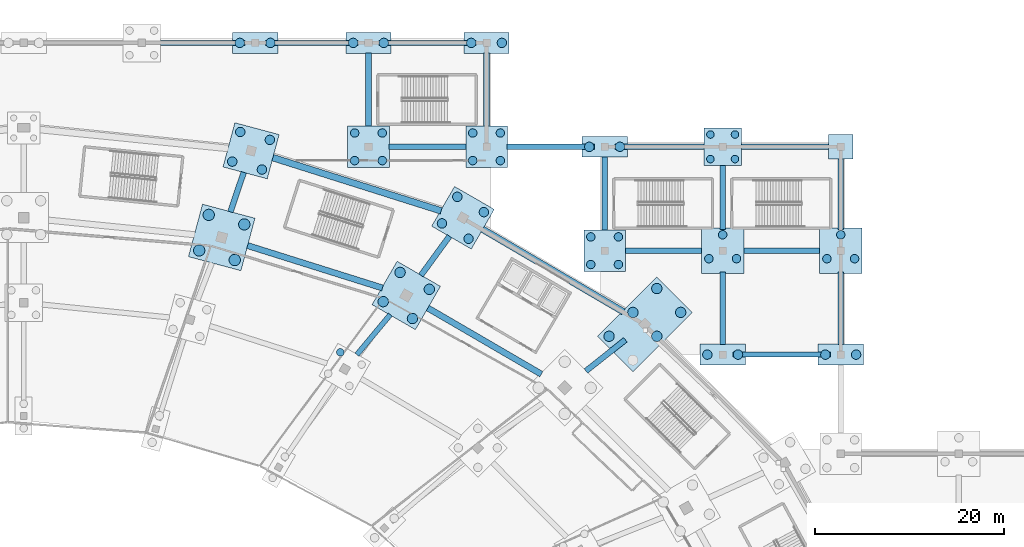
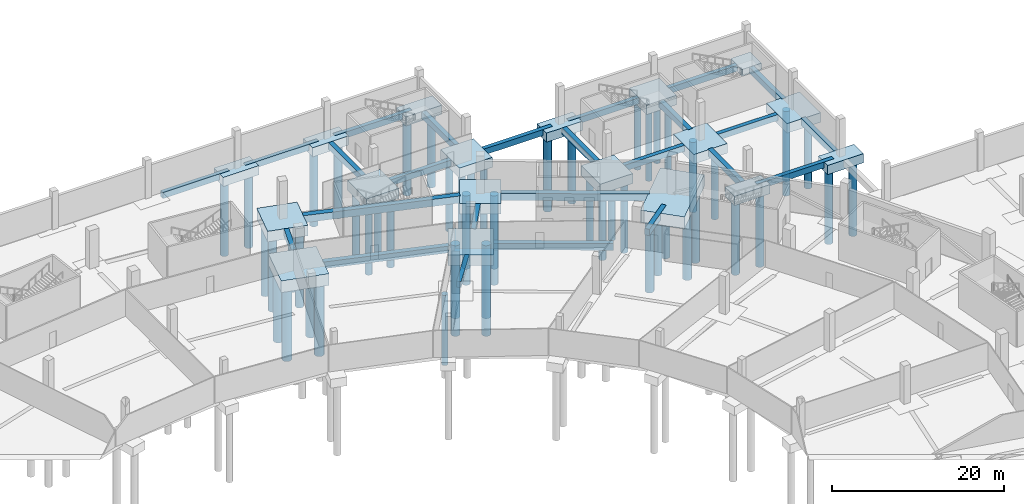
# One storey, part 11 of 74: 56 piles, 43 footings.
"""IFC4 building model written with IfcOpenShell, lengths in metres."""

from ifc_helpers import new_model, si_unit, direction, frame, origin, origin_2d, place, context, subcontext, project, spatial, polyline, rectangle, circle, outline, extrude, material, material_profile, profile_set, type_object, element, save


model = new_model("IFC4")

# Units and contexts
model_context = context("Model", 3, precision=1e-05, world=origin(), true_north=direction((0.0, 1.0)))
body_context = subcontext(model_context, "Body", "Model", "MODEL_VIEW")
ifc_project = project(units=[si_unit("LENGTHUNIT", "METRE"), si_unit("AREAUNIT", "SQUARE_METRE"), si_unit("VOLUMEUNIT", "CUBIC_METRE"), si_unit("PLANEANGLEUNIT", "RADIAN"), si_unit("MASSUNIT", "GRAM", prefix="KILO")], contexts=[model_context])

# Site, building, storey
site_placement = place(None, origin())
site = spatial("IfcSite", under=ifc_project, at=site_placement, CompositionType="ELEMENT")
building_placement = place(site_placement, origin())
building = spatial("IfcBuilding", under=site, at=building_placement, Name="Zlatoyarsky Gate Stadium", CompositionType="ELEMENT")
storey_placement = place(building_placement, frame((0.0, 0.0, -5.39990234375)))
storey = spatial("IfcBuildingStorey", under=building, at=storey_placement, Name="B1", CompositionType="ELEMENT", Elevation=-5.39990234375)

# Piles
ifc_material = material(Name="Concrete C35/45", Category="concrete")
ifc_material_profile_1 = material_profile(ifc_material, circle(Radius=0.5, at=origin_2d()), Name="BORED PILE D1000")
ifc_profile_set_1 = profile_set([ifc_material_profile_1], Name="Concrete C35/45")
pile_type_1 = type_object("IfcPileType", Name="CONCRETE BORED PILE D1000", PredefinedType="BORED", material=ifc_profile_set_1)
for number, where, z_axis, x_axis, name in (
    (1, (158.0947265625, 139.26806640625, -1.400146484375), (0.0, 0.0, -1.0), (1.0, 0.0, 0.0), "Pile 1 under RC-04"),
    (2, (159.7197265625, 142.08251953125, -1.400146484375), (0.0, 0.0, -1.0), (1.0, 0.0, 0.0), "Pile 2 under RC-04"),
    (3, (155.2802734375, 140.89306640625, -1.400146484375), (0.0, 0.0, -1.0), (1.0, 0.0, 0.0), "Pile 3 under RC-04"),
    (4, (156.9052734375, 143.70751953125, -1.400146484375), (0.0, 0.0, -1.0), (1.0, 0.0, 0.0), "Pile 4 under RC-04"),
    (5, (136.21923828125, 146.590576171875, -1.400146484375), (0.0, 0.0, -1.0), (1.0, 0.0, 0.0), "Pile 1 under RC-05"),
    (6, (137.060302734375, 149.729736328125, -1.400146484375), (0.0, 0.0, -1.0), (1.0, 0.0, 0.0), "Pile 2 under RC-05"),
    (7, (133.080078125, 147.431640625, -1.400146484375), (0.0, 0.0, -1.0), (1.0, 0.0, 0.0), "Pile 3 under RC-05"),
    (8, (133.921142578125, 150.57080078125, -1.400146484375), (0.0, 0.0, -1.0), (1.0, 0.0, 0.0), "Pile 4 under RC-05"),
):
    element("IfcPile", number, at=place(storey_placement, frame(where, z_axis=z_axis, x_axis=x_axis)), inside=storey, type_object=pile_type_1, Name=name, PredefinedType="BORED", context=body_context, shape_type="SweptSolid", body=[
        extrude(circle(Radius=0.5, at=origin_2d()), origin(), (0.0, 0.0, 1.0), 10.39990234375),
    ])
for number, where, z_axis, x_axis, name in (
    (9, (133.875, 160.0, -1.2001953125), (0.0, 0.0, -1.0), (1.0, 0.0, 0.0), "Pile 1 under WG-12-Q"),
    (10, (137.125, 160.0, -1.2001953125), (0.0, 0.0, -1.0), (1.0, 0.0, 0.0), "Pile 2 under WG-12-Q"),
    (11, (145.875, 160.0, -1.2001953125), (0.0, 0.0, -1.0), (1.0, 0.0, 0.0), "Pile 1 under WG-13-Q"),
    (12, (149.125, 160.0, -1.2001953125), (0.0, 0.0, -1.0), (1.0, 0.0, 0.0), "Pile 2 under WG-13-Q"),
    (13, (158.375, 160.0, -1.2001953125), (0.0, 0.0, -1.0), (1.0, 0.0, 0.0), "Pile 1 under WG-14-Q"),
    (14, (161.625, 160.0, -1.2001953125), (0.0, 0.0, -1.0), (1.0, 0.0, 0.0), "Pile 2 under WG-14-Q"),
    (15, (170.875, 149.0, -1.2001953125), (0.0, 0.0, -1.0), (1.0, 0.0, 0.0), "Pile 1 under WG-15-P"),
    (16, (174.125, 149.0, -1.2001953125), (0.0, 0.0, -1.0), (1.0, 0.0, 0.0), "Pile 2 under WG-15-P"),
    (17, (183.375, 127.0, -1.2001953125), (0.0, 0.0, -1.0), (1.0, 0.0, 0.0), "Pile 1 under WG-16-M"),
    (18, (186.625, 127.0, -1.2001953125), (0.0, 0.0, -1.0), (1.0, 0.0, 0.0), "Pile 2 under WG-16-M"),
    (19, (195.875, 127.0, -1.2001953125), (0.0, 0.0, -1.0), (1.0, 0.0, 0.0), "Pile 1 under WG-17-M"),
    (20, (199.125, 127.0, -1.2001953125), (0.0, 0.0, -1.0), (1.0, 0.0, 0.0), "Pile 2 under WG-17-M"),
):
    element("IfcPile", number, at=place(storey_placement, frame(where, z_axis=z_axis, x_axis=x_axis)), inside=storey, type_object=pile_type_1, Name=name, PredefinedType="BORED", context=body_context, shape_type="SweptSolid", body=[
        extrude(circle(Radius=0.5, at=origin_2d()), origin(), (0.0, 0.0, 1.0), 10.60009765625),
    ])
ifc_material_profile_2 = material_profile(ifc_material, circle(Radius=0.550048828125, at=origin_2d()), Name="BORED PILE D1100")
ifc_profile_set_2 = profile_set([ifc_material_profile_2], Name="Concrete C35/45")
pile_type_2 = type_object("IfcPileType", Name="CONCRETE BORED PILE D1100", PredefinedType="BORED", material=ifc_profile_set_2)
for number, where, z_axis, x_axis, name in (
    (21, (152.154296875, 130.81884765625, -1.4501953125), (0.0, 0.0, -1.0), (1.0, 0.0, 0.0), "Pile 1 under RB-04"),
    (22, (153.94189453125, 133.914794921875, -1.4501953125), (0.0, 0.0, -1.0), (1.0, 0.0, 0.0), "Pile 2 under RB-04"),
    (23, (149.05810546875, 132.606201171875, -1.4501953125), (0.0, 0.0, -1.0), (1.0, 0.0, 0.0), "Pile 3 under RB-04"),
    (24, (150.845703125, 135.702392578125, -1.4501953125), (0.0, 0.0, -1.0), (1.0, 0.0, 0.0), "Pile 4 under RB-04"),
):
    element("IfcPile", number, at=place(storey_placement, frame(where, z_axis=z_axis, x_axis=x_axis)), inside=storey, type_object=pile_type_2, Name=name, PredefinedType="BORED", context=body_context, shape_type="SweptSolid", body=[
        extrude(circle(Radius=0.550048828125, at=origin_2d()), origin(), (0.0, 0.0, 1.0), 10.35009765625),
    ])
for number, where, z_axis, x_axis, name in (
    (25, (178.02490234375, 128.940673828125, -1.60009765625), (0.0, 0.0, -1.0), (1.0, 0.0, 0.0), "Pile 2 under RC-03"),
    (26, (180.552734375, 131.468505859375, -1.60009765625), (0.0, 0.0, -1.0), (1.0, 0.0, 0.0), "Pile 3 under RC-03"),
    (27, (172.968994140625, 128.940673828125, -1.60009765625), (0.0, 0.0, -1.0), (1.0, 0.0, 0.0), "Pile 4 under RC-03"),
    (28, (175.496826171875, 131.468505859375, -1.60009765625), (0.0, 0.0, -1.0), (1.0, 0.0, 0.0), "Pile 5 under RC-03"),
    (29, (178.02490234375, 133.99658203125, -1.60009765625), (0.0, 0.0, -1.0), (1.0, 0.0, 0.0), "Pile 6 under RC-03"),
):
    element("IfcPile", number, at=place(storey_placement, frame(where, z_axis=z_axis, x_axis=x_axis)), inside=storey, type_object=pile_type_2, Name=name, PredefinedType="BORED", context=body_context, shape_type="SweptSolid", body=[
        extrude(circle(Radius=0.550048828125, at=origin_2d()), origin(), (0.0, 0.0, 1.0), 10.199951171875),
    ])
ifc_material_profile_3 = material_profile(ifc_material, circle(Radius=0.60009765625, at=origin_2d()), Name="BORED PILE D1200")
ifc_profile_set_3 = profile_set([ifc_material_profile_3], Name="Concrete C35/45")
pile_type_3 = type_object("IfcPileType", Name="CONCRETE BORED PILE D1200", PredefinedType="BORED", material=ifc_profile_set_3)
for number, where, z_axis, x_axis, name in (
    (30, (133.34326171875, 137.01611328125, -1.550048828125), (0.0, 0.0, -1.0), (1.0, 0.0, 0.0), "Pile 1 under RB-05"),
    (31, (134.3525390625, 140.783203125, -1.550048828125), (0.0, 0.0, -1.0), (1.0, 0.0, 0.0), "Pile 2 under RB-05"),
    (32, (129.575927734375, 138.025390625, -1.550048828125), (0.0, 0.0, -1.0), (1.0, 0.0, 0.0), "Pile 3 under RB-05"),
    (33, (130.58544921875, 141.792724609375, -1.550048828125), (0.0, 0.0, -1.0), (1.0, 0.0, 0.0), "Pile 4 under RB-05"),
):
    element("IfcPile", number, at=place(storey_placement, frame(where, z_axis=z_axis, x_axis=x_axis)), inside=storey, type_object=pile_type_3, Name=name, PredefinedType="BORED", context=body_context, shape_type="SweptSolid", body=[
        extrude(circle(Radius=0.60009765625, at=origin_2d()), origin(), (0.0, 0.0, 1.0), 10.25),
    ])
ifc_material_profile_4 = material_profile(ifc_material, circle(Radius=0.39990234375, at=origin_2d()), Name="BORED PILE D800")
ifc_profile_set_4 = profile_set([ifc_material_profile_4], Name="Concrete C35/45")
pile_type_4 = type_object("IfcPileType", Name="CONCRETE BORED PILE D800", PredefinedType="BORED", material=ifc_profile_set_4)
for number, where, z_axis, x_axis, name in (
    (34, (144.524169921875, 127.2421875, -1.25), (0.0, 0.0, -1.0), (1.0, 0.0, 0.0), "Pile 4 under RA-04"),
    (35, (183.699951171875, 147.699951171875, -1.25), (0.0, 0.0, -1.0), (1.0, 0.0, 0.0), "Pile 1 under WG-16-P"),
    (36, (186.300048828125, 147.699951171875, -1.25), (0.0, 0.0, -1.0), (1.0, 0.0, 0.0), "Pile 2 under WG-16-P"),
    (37, (183.699951171875, 150.300048828125, -1.25), (0.0, 0.0, -1.0), (1.0, 0.0, 0.0), "Pile 3 under WG-16-P"),
    (38, (186.300048828125, 150.300048828125, -1.25), (0.0, 0.0, -1.0), (1.0, 0.0, 0.0), "Pile 4 under WG-16-P"),
):
    element("IfcPile", number, at=place(storey_placement, frame(where, z_axis=z_axis, x_axis=x_axis)), inside=storey, type_object=pile_type_4, Name=name, PredefinedType="BORED", context=body_context, shape_type="SweptSolid", body=[
        extrude(circle(Radius=0.39990234375, at=origin_2d()), origin(), (0.0, 0.0, 1.0), 9.949951171875),
    ])
ifc_material_profile_5 = material_profile(ifc_material, circle(Radius=0.449951171875, at=origin_2d()), Name="BORED PILE D900")
ifc_profile_set_5 = profile_set([ifc_material_profile_5], Name="Concrete C35/45")
pile_type_5 = type_object("IfcPileType", Name="CONCRETE BORED PILE D900", PredefinedType="BORED", material=ifc_profile_set_5)
for number, where, z_axis, x_axis, name in (
    (39, (146.03759765625, 147.53759765625, -1.300048828125), (0.0, 0.0, -1.0), (1.0, 0.0, 0.0), "Pile 1 under WG-13-P"),
    (40, (148.96240234375, 147.53759765625, -1.300048828125), (0.0, 0.0, -1.0), (1.0, 0.0, 0.0), "Pile 2 under WG-13-P"),
    (41, (146.03759765625, 150.46240234375, -1.300048828125), (0.0, 0.0, -1.0), (1.0, 0.0, 0.0), "Pile 3 under WG-13-P"),
    (42, (148.96240234375, 150.46240234375, -1.300048828125), (0.0, 0.0, -1.0), (1.0, 0.0, 0.0), "Pile 4 under WG-13-P"),
    (43, (158.53759765625, 147.53759765625, -1.300048828125), (0.0, 0.0, -1.0), (1.0, 0.0, 0.0), "Pile 1 under WG-14-P"),
    (44, (161.46240234375, 147.53759765625, -1.300048828125), (0.0, 0.0, -1.0), (1.0, 0.0, 0.0), "Pile 2 under WG-14-P"),
    (45, (158.53759765625, 150.46240234375, -1.300048828125), (0.0, 0.0, -1.0), (1.0, 0.0, 0.0), "Pile 3 under WG-14-P"),
    (46, (161.46240234375, 150.46240234375, -1.300048828125), (0.0, 0.0, -1.0), (1.0, 0.0, 0.0), "Pile 4 under WG-14-P"),
    (47, (171.03759765625, 136.53759765625, -1.300048828125), (0.0, 0.0, -1.0), (1.0, 0.0, 0.0), "Pile 1 under WG-15-N"),
    (48, (173.96240234375, 136.53759765625, -1.300048828125), (0.0, 0.0, -1.0), (1.0, 0.0, 0.0), "Pile 2 under WG-15-N"),
    (49, (171.03759765625, 139.46240234375, -1.300048828125), (0.0, 0.0, -1.0), (1.0, 0.0, 0.0), "Pile 3 under WG-15-N"),
    (50, (173.96240234375, 139.46240234375, -1.300048828125), (0.0, 0.0, -1.0), (1.0, 0.0, 0.0), "Pile 4 under WG-15-N"),
):
    element("IfcPile", number, at=place(storey_placement, frame(where, z_axis=z_axis, x_axis=x_axis)), inside=storey, type_object=pile_type_5, Name=name, PredefinedType="BORED", context=body_context, shape_type="SweptSolid", body=[
        extrude(circle(Radius=0.449951171875, at=origin_2d()), origin(), (0.0, 0.0, 1.0), 9.89990234375),
    ])
for number, where, z_axis, x_axis, name in (
    (51, (183.53759765625, 137.15576171875, -1.25), (0.0, 0.0, -1.0), (1.0, 0.0, 0.0), "Pile 1 under WG-16-N"),
    (52, (186.46240234375, 137.15576171875, -1.25), (0.0, 0.0, -1.0), (1.0, 0.0, 0.0), "Pile 2 under WG-16-N"),
    (53, (185.0, 139.688720703125, -1.25), (0.0, 0.0, -1.0), (1.0, 0.0, 0.0), "Pile 3 under WG-16-N"),
    (54, (196.03759765625, 137.15576171875, -1.25), (0.0, 0.0, -1.0), (1.0, 0.0, 0.0), "Pile 1 under WG-17-N"),
    (55, (198.96240234375, 137.15576171875, -1.25), (0.0, 0.0, -1.0), (1.0, 0.0, 0.0), "Pile 2 under WG-17-N"),
    (56, (197.5, 139.688720703125, -1.25), (0.0, 0.0, -1.0), (1.0, 0.0, 0.0), "Pile 3 under WG-17-N"),
):
    element("IfcPile", number, at=place(storey_placement, frame(where, z_axis=z_axis, x_axis=x_axis)), inside=storey, type_object=pile_type_5, Name=name, PredefinedType="BORED", context=body_context, shape_type="SweptSolid", body=[
        extrude(circle(Radius=0.449951171875, at=origin_2d()), origin(), (0.0, 0.0, 1.0), 9.949951171875),
    ])

# Footings
ifc_material_profile_6 = material_profile(ifc_material, rectangle(XDim=0.550048828125, YDim=0.85009765625, at=origin_2d()), Name="GB 550X850")
ifc_profile_set_6 = profile_set([ifc_material_profile_6], Name="Concrete C35/45")
footing_type_1 = type_object("IfcFootingType", Name="CONCRETE GROUND TIE BEAM 550X850", PredefinedType="STRIP_FOOTING", material=ifc_profile_set_6)
footing_1_placement = place(storey_placement, frame((0.0, 0.0, -0.85009765625)))
element("IfcFooting", 57, at=footing_1_placement, inside=storey, type_object=footing_type_1, Name="Ground tie beam GB-02 RA-04 to RB-04", PredefinedType="STRIP_FOOTING", context=body_context, shape_type="SweptSolid", body=[
    extrude(outline(polyline([(146.485595703125, 126.818359375), (150.0205078125, 131.056884765625), (149.597900390625, 131.4091796875), (146.063232421875, 127.170654296875), (146.485595703125, 126.818359375)])), origin(), (0.0, 0.0, 1.0), 0.85009765625),
])
footing_2_placement = place(storey_placement, frame((0.0, 0.0, -0.85009765625)))
element("IfcFooting", 58, at=footing_2_placement, inside=storey, type_object=footing_type_1, Name="Ground tie beam GB-02 WG-11-Q to WG-12-Q", PredefinedType="STRIP_FOOTING", context=body_context, shape_type="SweptSolid", body=[
    extrude(outline(polyline([(125.489990234375, 159.72509765625), (134.409912109375, 159.72509765625), (134.409912109375, 160.27490234375), (125.489990234375, 160.27490234375), (125.489990234375, 159.72509765625)])), origin(), (0.0, 0.0, 1.0), 0.85009765625),
])
footing_3_placement = place(storey_placement, frame((0.0, 0.0, -0.85009765625)))
element("IfcFooting", 59, at=footing_3_placement, inside=storey, type_object=footing_type_1, Name="Ground tie beam GB-02 WG-12-Q to WG-13-Q", PredefinedType="STRIP_FOOTING", context=body_context, shape_type="SweptSolid", body=[
    extrude(outline(polyline([(136.590087890625, 159.72509765625), (146.409912109375, 159.72509765625), (146.409912109375, 160.27490234375), (136.590087890625, 160.27490234375), (136.590087890625, 159.72509765625)])), origin(), (0.0, 0.0, 1.0), 0.85009765625),
])
footing_4_placement = place(storey_placement, frame((0.0, 0.0, -0.85009765625)))
element("IfcFooting", 60, at=footing_4_placement, inside=storey, type_object=footing_type_1, Name="Ground tie beam GB-02 WG-13-P to WG-14-P", PredefinedType="STRIP_FOOTING", context=body_context, shape_type="SweptSolid", body=[
    extrude(outline(polyline([(149.68994140625, 148.72509765625), (157.81005859375, 148.72509765625), (157.81005859375, 149.27490234375), (149.68994140625, 149.27490234375), (149.68994140625, 148.72509765625)])), origin(), (0.0, 0.0, 1.0), 0.85009765625),
])
footing_5_placement = place(storey_placement, frame((0.0, 0.0, -0.85009765625)))
element("IfcFooting", 61, at=footing_5_placement, inside=storey, type_object=footing_type_1, Name="Ground tie beam GB-02 WG-13-Q to WG-14-Q", PredefinedType="STRIP_FOOTING", context=body_context, shape_type="SweptSolid", body=[
    extrude(outline(polyline([(148.590087890625, 159.72509765625), (158.909912109375, 159.72509765625), (158.909912109375, 160.27490234375), (148.590087890625, 160.27490234375), (148.590087890625, 159.72509765625)])), origin(), (0.0, 0.0, 1.0), 0.85009765625),
])
footing_6_placement = place(storey_placement, frame((0.0, 0.0, -0.85009765625)))
element("IfcFooting", 62, at=footing_6_placement, inside=storey, type_object=footing_type_1, Name="Ground tie beam GB-02 WG-14-P to WG-15-P", PredefinedType="STRIP_FOOTING", context=body_context, shape_type="SweptSolid", body=[
    extrude(outline(polyline([(162.18994140625, 148.72509765625), (171.409912109375, 148.72509765625), (171.409912109375, 149.27490234375), (162.18994140625, 149.27490234375), (162.18994140625, 148.72509765625)])), origin(), (0.0, 0.0, 1.0), 0.85009765625),
])
footing_7_placement = place(storey_placement, frame((0.0, 0.0, -0.85009765625)))
element("IfcFooting", 63, at=footing_7_placement, inside=storey, type_object=footing_type_1, Name="Ground tie beam GB-02 WG-15-N to WG-16-N", PredefinedType="STRIP_FOOTING", context=body_context, shape_type="SweptSolid", body=[
    extrude(outline(polyline([(174.68994140625, 137.72509765625), (182.760009765625, 137.72509765625), (182.760009765625, 138.27490234375), (174.68994140625, 138.27490234375), (174.68994140625, 137.72509765625)])), origin(), (0.0, 0.0, 1.0), 0.85009765625),
])
footing_8_placement = place(storey_placement, frame((0.0, 0.0, -0.85009765625)))
element("IfcFooting", 64, at=footing_8_placement, inside=storey, type_object=footing_type_1, Name="Ground tie beam GB-02 WG-15-P to WG-16-P", PredefinedType="STRIP_FOOTING", context=body_context, shape_type="SweptSolid", body=[
    extrude(outline(polyline([(173.590087890625, 148.72509765625), (183.010009765625, 148.72509765625), (183.010009765625, 149.27490234375), (173.590087890625, 149.27490234375), (173.590087890625, 148.72509765625)])), origin(), (0.0, 0.0, 1.0), 0.85009765625),
])
footing_9_placement = place(storey_placement, frame((0.0, 0.0, -0.85009765625)))
element("IfcFooting", 65, at=footing_9_placement, inside=storey, type_object=footing_type_1, Name="Ground tie beam GB-02 WG-16-M to WG-17-M", PredefinedType="STRIP_FOOTING", context=body_context, shape_type="SweptSolid", body=[
    extrude(outline(polyline([(186.090087890625, 126.72509765625), (196.409912109375, 126.72509765625), (196.409912109375, 127.27490234375), (186.090087890625, 127.27490234375), (186.090087890625, 126.72509765625)])), origin(), (0.0, 0.0, 1.0), 0.85009765625),
])
footing_10_placement = place(storey_placement, frame((0.0, 0.0, -0.85009765625)))
element("IfcFooting", 66, at=footing_10_placement, inside=storey, type_object=footing_type_1, Name="Ground tie beam GB-02 WG-16-N to WG-17-N", PredefinedType="STRIP_FOOTING", context=body_context, shape_type="SweptSolid", body=[
    extrude(outline(polyline([(187.239990234375, 137.72509765625), (195.260009765625, 137.72509765625), (195.260009765625, 138.27490234375), (187.239990234375, 138.27490234375), (187.239990234375, 137.72509765625)])), origin(), (0.0, 0.0, 1.0), 0.85009765625),
])
footing_11_placement = place(storey_placement, frame((0.0, 0.0, -0.85009765625)))
element("IfcFooting", 67, at=footing_11_placement, inside=storey, type_object=footing_type_1, Name="Ground tie beam GB-02 WG-16-P to WG-17-P", PredefinedType="STRIP_FOOTING", context=body_context, shape_type="SweptSolid", body=[
    extrude(outline(polyline([(186.989990234375, 148.72509765625), (196.2099609375, 148.72509765625), (196.2099609375, 149.27490234375), (186.989990234375, 149.27490234375), (186.989990234375, 148.72509765625)])), origin(), (0.0, 0.0, 1.0), 0.85009765625),
])
ifc_material_profile_7 = material_profile(ifc_material, rectangle(XDim=0.60009765625, YDim=0.89990234375, at=origin_2d()), Name="GB 600X900")
ifc_profile_set_7 = profile_set([ifc_material_profile_7], Name="Concrete C35/45")
footing_type_2 = type_object("IfcFootingType", Name="CONCRETE GROUND TIE BEAM 600X900", PredefinedType="STRIP_FOOTING", material=ifc_profile_set_7)
footing_12_placement = place(storey_placement, frame((0.0, 0.0, -0.900146484375)))
element("IfcFooting", 68, at=footing_12_placement, inside=storey, type_object=footing_type_2, Name="Ground tie beam GB-03 RB-03 to RC-03", PredefinedType="STRIP_FOOTING", context=body_context, shape_type="SweptSolid", body=[
    extrude(outline(polyline([(170.7080078125, 125.0302734375), (174.877197265625, 128.33056640625), (174.5048828125, 128.801025390625), (170.335693359375, 125.500732421875), (170.7080078125, 125.0302734375)])), origin(), (0.0, 0.0, 1.0), 0.900146484375),
])
footing_13_placement = place(storey_placement, frame((0.0, 0.0, -0.900146484375)))
element("IfcFooting", 69, at=footing_13_placement, inside=storey, type_object=footing_type_2, Name="Ground tie beam GB-03 RB-04 to RC-04", PredefinedType="STRIP_FOOTING", context=body_context, shape_type="SweptSolid", body=[
    extrude(outline(polyline([(153.298095703125, 135.216796875), (156.3193359375, 139.35986328125), (155.834716796875, 139.71337890625), (152.813232421875, 135.5703125), (153.298095703125, 135.216796875)])), origin(), (0.0, 0.0, 1.0), 0.900146484375),
])
footing_14_placement = place(storey_placement, frame((0.0, 0.0, -0.900146484375)))
element("IfcFooting", 70, at=footing_14_placement, inside=storey, type_object=footing_type_2, Name="Ground tie beam GB-03 RB-05 to RC-05", PredefinedType="STRIP_FOOTING", context=body_context, shape_type="SweptSolid", body=[
    extrude(outline(polyline([(133.1669921875, 142.02197265625), (134.580078125, 146.197021484375), (134.01171875, 146.389404296875), (132.5986328125, 142.21435546875), (133.1669921875, 142.02197265625)])), origin(), (0.0, 0.0, 1.0), 0.900146484375),
])
footing_15_placement = place(storey_placement, frame((0.0, 0.0, -0.900146484375)))
element("IfcFooting", 71, at=footing_15_placement, inside=storey, type_object=footing_type_2, Name="Ground tie beam GB-03 WG-13-P to WG-13-Q", PredefinedType="STRIP_FOOTING", context=body_context, shape_type="SweptSolid", body=[
    extrude(outline(polyline([(147.800048828125, 151.18994140625), (147.800048828125, 158.909912109375), (147.199951171875, 158.909912109375), (147.199951171875, 151.18994140625), (147.800048828125, 151.18994140625)])), origin(), (0.0, 0.0, 1.0), 0.900146484375),
])
footing_16_placement = place(storey_placement, frame((0.0, 0.0, -0.900146484375)))
element("IfcFooting", 72, at=footing_16_placement, inside=storey, type_object=footing_type_2, Name="Ground tie beam GB-03 WG-14-P to WG-14-Q", PredefinedType="STRIP_FOOTING", context=body_context, shape_type="SweptSolid", body=[
    extrude(outline(polyline([(160.300048828125, 151.18994140625), (160.300048828125, 158.909912109375), (159.699951171875, 158.909912109375), (159.699951171875, 151.18994140625), (160.300048828125, 151.18994140625)])), origin(), (0.0, 0.0, 1.0), 0.900146484375),
])
footing_17_placement = place(storey_placement, frame((0.0, 0.0, -0.900146484375)))
element("IfcFooting", 73, at=footing_17_placement, inside=storey, type_object=footing_type_2, Name="Ground tie beam GB-03 WG-15-N to WG-15-P", PredefinedType="STRIP_FOOTING", context=body_context, shape_type="SweptSolid", body=[
    extrude(outline(polyline([(172.800048828125, 140.18994140625), (172.800048828125, 147.909912109375), (172.199951171875, 147.909912109375), (172.199951171875, 140.18994140625), (172.800048828125, 140.18994140625)])), origin(), (0.0, 0.0, 1.0), 0.900146484375),
])
footing_18_placement = place(storey_placement, frame((0.0, 0.0, -0.900146484375)))
element("IfcFooting", 74, at=footing_18_placement, inside=storey, type_object=footing_type_2, Name="Ground tie beam GB-03 WG-16-M to WG-16-N", PredefinedType="STRIP_FOOTING", context=body_context, shape_type="SweptSolid", body=[
    extrude(outline(polyline([(185.300048828125, 128.090087890625), (185.300048828125, 135.760009765625), (184.699951171875, 135.760009765625), (184.699951171875, 128.090087890625), (185.300048828125, 128.090087890625)])), origin(), (0.0, 0.0, 1.0), 0.900146484375),
])
footing_19_placement = place(storey_placement, frame((0.0, 0.0, -0.900146484375)))
element("IfcFooting", 75, at=footing_19_placement, inside=storey, type_object=footing_type_2, Name="Ground tie beam GB-03 WG-16-N to WG-16-P", PredefinedType="STRIP_FOOTING", context=body_context, shape_type="SweptSolid", body=[
    extrude(outline(polyline([(185.300048828125, 140.239990234375), (185.300048828125, 147.010009765625), (184.699951171875, 147.010009765625), (184.699951171875, 140.239990234375), (185.300048828125, 140.239990234375)])), origin(), (0.0, 0.0, 1.0), 0.900146484375),
])
footing_20_placement = place(storey_placement, frame((0.0, 0.0, -0.900146484375)))
element("IfcFooting", 76, at=footing_20_placement, inside=storey, type_object=footing_type_2, Name="Ground tie beam GB-03 WG-17-M to WG-17-N", PredefinedType="STRIP_FOOTING", context=body_context, shape_type="SweptSolid", body=[
    extrude(outline(polyline([(197.800048828125, 128.090087890625), (197.800048828125, 135.760009765625), (197.199951171875, 135.760009765625), (197.199951171875, 128.090087890625), (197.800048828125, 128.090087890625)])), origin(), (0.0, 0.0, 1.0), 0.900146484375),
])
footing_21_placement = place(storey_placement, frame((0.0, 0.0, -0.900146484375)))
element("IfcFooting", 77, at=footing_21_placement, inside=storey, type_object=footing_type_2, Name="Ground tie beam GB-03 WG-17-N to WG-17-P", PredefinedType="STRIP_FOOTING", context=body_context, shape_type="SweptSolid", body=[
    extrude(outline(polyline([(197.800048828125, 140.239990234375), (197.800048828125, 147.7099609375), (197.199951171875, 147.7099609375), (197.199951171875, 140.239990234375), (197.800048828125, 140.239990234375)])), origin(), (0.0, 0.0, 1.0), 0.900146484375),
])
ifc_material_profile_8 = material_profile(ifc_material, rectangle(XDim=0.64990234375, YDim=0.949951171875, at=origin_2d()), Name="GB 650X950")
ifc_profile_set_8 = profile_set([ifc_material_profile_8], Name="Concrete C35/45")
footing_type_3 = type_object("IfcFootingType", Name="CONCRETE GROUND TIE BEAM 650X950", PredefinedType="STRIP_FOOTING", material=ifc_profile_set_8)
footing_22_placement = place(storey_placement, frame((0.0, 0.0, -0.9501953125)))
element("IfcFooting", 78, at=footing_22_placement, inside=storey, type_object=footing_type_3, Name="Ground tie beam GB-04 RB-03 to RB-04", PredefinedType="STRIP_FOOTING", context=body_context, shape_type="SweptSolid", body=[
    extrude(outline(polyline([(165.963623046875, 125.210205078125), (153.94482421875, 132.21240234375), (153.617431640625, 131.65087890625), (165.636474609375, 124.6484375), (165.963623046875, 125.210205078125)])), origin(), (0.0, 0.0, 1.0), 0.9501953125),
])
footing_23_placement = place(storey_placement, frame((0.0, 0.0, -0.9501953125)))
element("IfcFooting", 79, at=footing_23_placement, inside=storey, type_object=footing_type_3, Name="Ground tie beam GB-04 RB-04 to RB-05", PredefinedType="STRIP_FOOTING", context=body_context, shape_type="SweptSolid", body=[
    extrude(outline(polyline([(149.0791015625, 134.362548828125), (134.794921875, 138.85498046875), (134.599853515625, 138.23486328125), (148.884033203125, 133.74267578125), (149.0791015625, 134.362548828125)])), origin(), (0.0, 0.0, 1.0), 0.9501953125),
])
ifc_material_profile_9 = material_profile(ifc_material, rectangle(XDim=0.699951171875, YDim=1.0, at=origin_2d()), Name="GB 700X1000")
ifc_profile_set_9 = profile_set([ifc_material_profile_9], Name="Concrete C35/45")
footing_type_4 = type_object("IfcFootingType", Name="CONCRETE GROUND TIE BEAM 700X1000", PredefinedType="STRIP_FOOTING", material=ifc_profile_set_9)
footing_24_placement = place(storey_placement, frame((0.0, 0.0, -1.0)))
element("IfcFooting", 80, at=footing_24_placement, inside=storey, type_object=footing_type_4, Name="Ground tie beam GB-05 RC-03 to RC-04", PredefinedType="STRIP_FOOTING", context=body_context, shape_type="SweptSolid", body=[
    extrude(outline(polyline([(174.659912109375, 131.841064453125), (159.7607421875, 140.569091796875), (159.406982421875, 139.965087890625), (174.30615234375, 131.237060546875), (174.659912109375, 131.841064453125)])), origin(), (0.0, 0.0, 1.0), 1.0),
])
footing_25_placement = place(storey_placement, frame((0.0, 0.0, -1.0)))
element("IfcFooting", 81, at=footing_25_placement, inside=storey, type_object=footing_type_4, Name="Ground tie beam GB-05 RC-04 to RC-05", PredefinedType="STRIP_FOOTING", context=body_context, shape_type="SweptSolid", body=[
    extrude(outline(polyline([(155.302978515625, 142.549560546875), (137.478271484375, 148.186279296875), (137.267333984375, 147.518798828125), (155.091796875, 141.882080078125), (155.302978515625, 142.549560546875)])), origin(), (0.0, 0.0, 1.0), 1.0),
])
footing_type_5 = type_object("IfcFootingType", Name="CONCRETE PAD FOOTING 2600X2600X950", PredefinedType="PAD_FOOTING", material=ifc_material)
footing_26_placement = place(storey_placement, frame((197.5, 149.0, -0.9501953125), z_axis=(0.0, 0.0, 1.0), x_axis=(1.0, 0.0, 0.0)))
element("IfcFooting", 82, at=footing_26_placement, inside=storey, type_object=footing_type_5, Name="Pad footing PF-02 at WG-17-P", PredefinedType="PAD_FOOTING", context=body_context, shape_type="SweptSolid", body=[
    extrude(rectangle(XDim=2.60009765625, YDim=2.60009765625, at=origin_2d()), origin(), (0.0, 0.0, 1.0), 0.949951171875),
])
footing_type_6 = type_object("IfcFootingType", Name="CONCRETE PILE CAP 4000X4000X1350", PredefinedType="PILE_CAP", material=ifc_material)
footing_27_placement = place(storey_placement, frame((185.0, 149.0, -1.35009765625), z_axis=(0.0, 0.0, 1.0), x_axis=(1.0, 0.0, 0.0)))
element("IfcFooting", 83, at=footing_27_placement, inside=storey, type_object=footing_type_6, Name="Pile cap PC-05 at WG-16-P", PredefinedType="PILE_CAP", context=body_context, shape_type="SweptSolid", body=[
    extrude(rectangle(XDim=4.0, YDim=4.0, at=origin_2d()), origin(), (0.0, 0.0, 1.0), 1.35009765625),
])
footing_type_7 = type_object("IfcFootingType", Name="CONCRETE PILE CAP 4400X4400X1400", PredefinedType="PILE_CAP", material=ifc_material)
for number, where, z_axis, x_axis, name in (
    (84, (147.5, 149.0, -1.400146484375), (0.0, 0.0, 1.0), (1.0, 0.0, 0.0), "Pile cap PC-06 at WG-13-P"),
    (85, (160.0, 149.0, -1.400146484375), (0.0, 0.0, 1.0), (1.0, 0.0, 0.0), "Pile cap PC-06 at WG-14-P"),
    (86, (172.5, 138.0, -1.400146484375), (0.0, 0.0, 1.0), (1.0, 0.0, 0.0), "Pile cap PC-06 at WG-15-N"),
):
    element("IfcFooting", number, at=place(storey_placement, frame(where, z_axis=z_axis, x_axis=x_axis)), inside=storey, type_object=footing_type_7, Name=name, PredefinedType="PILE_CAP", context=body_context, shape_type="SweptSolid", body=[
        extrude(rectangle(XDim=4.39990234375, YDim=4.39990234375, at=origin_2d()), origin(), (0.0, 0.0, 1.0), 1.39990234375),
    ])
footing_type_8 = type_object("IfcFootingType", Name="CONCRETE PILE CAP 4500X4850X1350", PredefinedType="PILE_CAP", material=ifc_material)
for number, where, z_axis, x_axis, name in (
    (87, (185.0, 138.0, -1.35009765625), (0.0, 0.0, 1.0), (1.0, 0.0, 0.0), "Pile cap PC-04 at WG-16-N"),
    (88, (197.5, 138.0, -1.35009765625), (0.0, 0.0, 1.0), (1.0, 0.0, 0.0), "Pile cap PC-04 at WG-17-N"),
):
    element("IfcFooting", number, at=place(storey_placement, frame(where, z_axis=z_axis, x_axis=x_axis)), inside=storey, type_object=footing_type_8, Name=name, PredefinedType="PILE_CAP", context=body_context, shape_type="SweptSolid", body=[
        extrude(rectangle(XDim=4.5, YDim=4.85009765625, at=origin_2d()), origin(), (0.0, 0.0, 1.0), 1.35009765625),
    ])
footing_type_9 = type_object("IfcFootingType", Name="CONCRETE PILE CAP 4800X2200X1300", PredefinedType="PILE_CAP", material=ifc_material)
for number, where, z_axis, x_axis, name in (
    (89, (135.5, 160.0, -1.30029296875), (0.0, 0.0, 1.0), (1.0, 0.0, 0.0), "Pile cap PC-03 at WG-12-Q"),
    (90, (147.5, 160.0, -1.30029296875), (0.0, 0.0, 1.0), (1.0, 0.0, 0.0), "Pile cap PC-03 at WG-13-Q"),
    (91, (160.0, 160.0, -1.30029296875), (0.0, 0.0, 1.0), (1.0, 0.0, 0.0), "Pile cap PC-03 at WG-14-Q"),
    (92, (172.5, 149.0, -1.30029296875), (0.0, 0.0, 1.0), (1.0, 0.0, 0.0), "Pile cap PC-03 at WG-15-P"),
    (93, (185.0, 127.0, -1.30029296875), (0.0, 0.0, 1.0), (1.0, 0.0, 0.0), "Pile cap PC-03 at WG-16-M"),
    (94, (197.5, 127.0, -1.30029296875), (0.0, 0.0, 1.0), (1.0, 0.0, 0.0), "Pile cap PC-03 at WG-17-M"),
):
    element("IfcFooting", number, at=place(storey_placement, frame(where, z_axis=z_axis, x_axis=x_axis)), inside=storey, type_object=footing_type_9, Name=name, PredefinedType="PILE_CAP", context=body_context, shape_type="SweptSolid", body=[
        extrude(rectangle(XDim=4.800048828125, YDim=2.199951171875, at=origin_2d()), origin(), (0.0, 0.0, 1.0), 1.300048828125),
    ])
footing_type_10 = type_object("IfcFootingType", Name="CONCRETE PILE CAP 4850X4850X1500", PredefinedType="PILE_CAP", material=ifc_material)
for number, where, z_axis, x_axis, name in (
    (95, (157.5, 141.48779296875, -1.5), (0.0, 0.0, 1.0), (0.5, 0.866025403784, 0.0), "Pile cap PC-07 at RC-04"),
    (96, (135.0703125, 148.580810546875, -1.5), (0.0, 0.0, 1.0), (0.258819045103, 0.965925826289, 0.0), "Pile cap PC-07 at RC-05"),
):
    element("IfcFooting", number, at=place(storey_placement, frame(where, z_axis=z_axis, x_axis=x_axis)), inside=storey, type_object=footing_type_10, Name=name, PredefinedType="PILE_CAP", context=body_context, shape_type="SweptSolid", body=[
        extrude(rectangle(XDim=4.85009765625, YDim=4.85009765625, at=origin_2d()), origin(), (0.0, 0.0, 1.0), 1.5),
    ])
footing_type_11 = type_object("IfcFootingType", Name="CONCRETE PILE CAP 5300X5300X1550", PredefinedType="PILE_CAP", material=ifc_material)
footing_28_placement = place(storey_placement, frame((151.5, 133.260498046875, -1.55029296875), z_axis=(0.0, 0.0, 1.0), x_axis=(0.5, 0.866025403784, 0.0)))
element("IfcFooting", 97, at=footing_28_placement, inside=storey, type_object=footing_type_11, Name="Pile cap PC-08 at RB-04", PredefinedType="PILE_CAP", context=body_context, shape_type="SweptSolid", body=[
    extrude(rectangle(XDim=5.300048828125, YDim=5.300048828125, at=origin_2d()), origin(), (0.0, 0.0, 1.0), 1.550048828125),
])
footing_type_12 = type_object("IfcFootingType", Name="CONCRETE PILE CAP 5750X5750X1650", PredefinedType="PILE_CAP", material=ifc_material)
footing_29_placement = place(storey_placement, frame((131.96435546875, 139.404296875, -1.650146484375), z_axis=(0.0, 0.0, 1.0), x_axis=(0.258819045103, 0.965925826289, 0.0)))
element("IfcFooting", 98, at=footing_29_placement, inside=storey, type_object=footing_type_12, Name="Pile cap PC-09 at RB-05", PredefinedType="PILE_CAP", context=body_context, shape_type="SweptSolid", body=[
    extrude(rectangle(XDim=5.75, YDim=5.75, at=origin_2d()), origin(), (0.0, 0.0, 1.0), 1.64990234375),
])
footing_type_13 = type_object("IfcFootingType", Name="CONCRETE PILE CAP 8900X5300X1700", PredefinedType="PILE_CAP", material=ifc_material)
footing_30_placement = place(storey_placement, frame((176.760986328125, 130.20458984375, -1.7001953125), z_axis=(0.0, 0.0, 1.0), x_axis=(0.707106781187, 0.707106781187, 0.0)))
element("IfcFooting", 99, at=footing_30_placement, inside=storey, type_object=footing_type_13, Name="Pile cap PC-12 at RC-03", PredefinedType="PILE_CAP", context=body_context, shape_type="SweptSolid", body=[
    extrude(rectangle(XDim=8.89990234375, YDim=5.300048828125, at=origin_2d()), origin(), (0.0, 0.0, 1.0), 1.699951171875),
])

save(model, "model.ifc")
